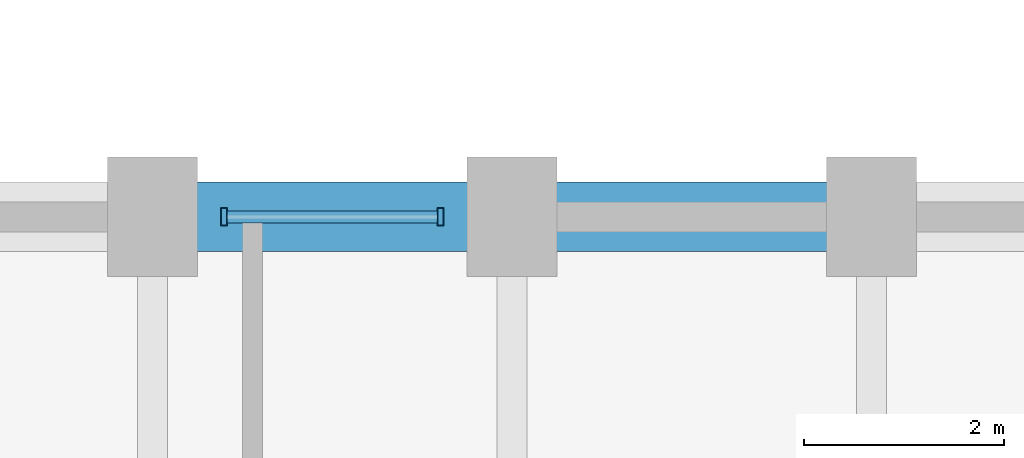
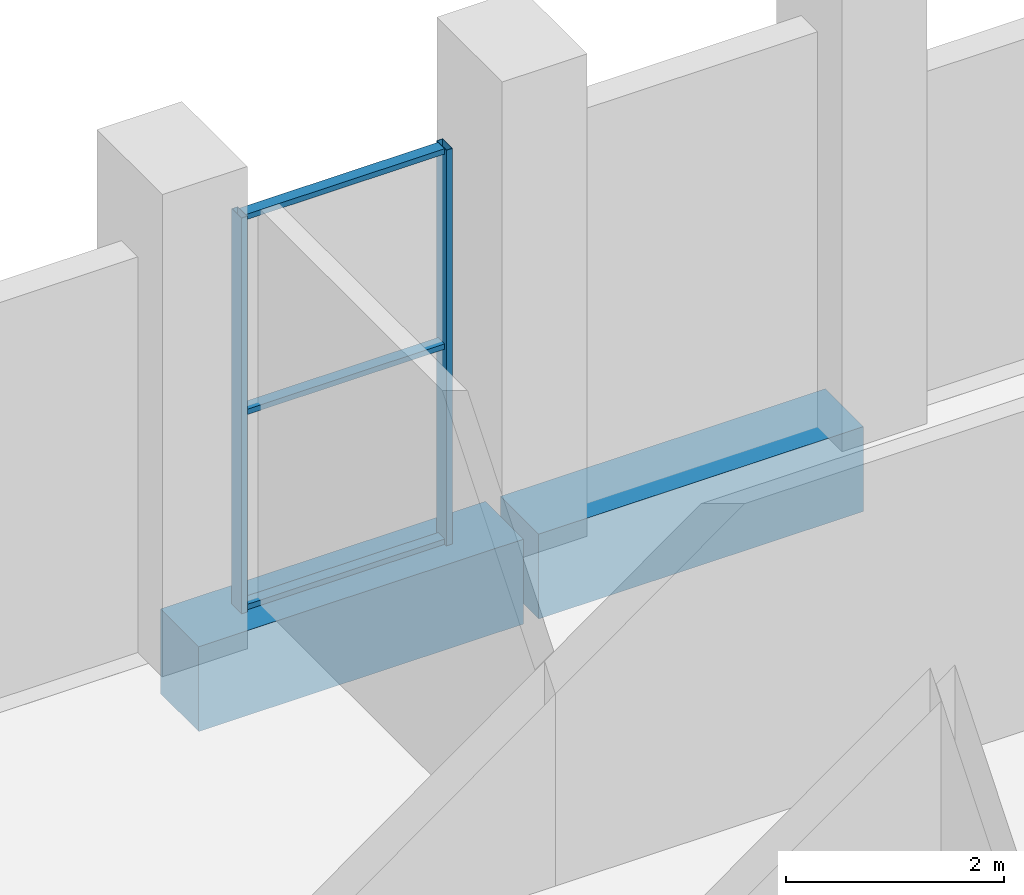
# One storey, part 15 of 27: 5 members, 2 beams, 1 element without a shape of its own.
"""IFC4 building model written with IfcOpenShell, lengths in metres."""

from ifc_helpers import new_model, si_unit, direction, frame, origin, origin_2d, place, context, subcontext, project, spatial, rectangle, hollow_rectangle, extrude, material, layer, layer_set, material_profile, profile_set, type_object, element, aggregate, save


model = new_model("IFC4")

# Units and contexts
model_context = context("Model", 3, precision=1e-05, world=origin(), true_north=direction((0.0, 1.0)))
body_context = subcontext(model_context, "Body", "Model", "MODEL_VIEW")
ifc_project = project(units=[si_unit("LENGTHUNIT", "METRE"), si_unit("AREAUNIT", "SQUARE_METRE"), si_unit("VOLUMEUNIT", "CUBIC_METRE"), si_unit("PLANEANGLEUNIT", "RADIAN"), si_unit("MASSUNIT", "GRAM", prefix="KILO")], contexts=[model_context])

# Site, building, storey
site_placement = place(None, origin())
site = spatial("IfcSite", under=ifc_project, at=site_placement, CompositionType="ELEMENT")
building_placement = place(site_placement, origin())
building = spatial("IfcBuilding", under=site, at=building_placement, Name="Solnavia Interchange Tower", CompositionType="ELEMENT")
storey_placement = place(building_placement, frame((0.0, 0.0, 74.699951171875)))
storey = spatial("IfcBuildingStorey", under=building, at=storey_placement, Name="L18", CompositionType="ELEMENT", Elevation=74.699951171875)

# Beams
ifc_material_1 = material(Name="Concrete C50/60", Category="concrete")
ifc_material_profile_1 = material_profile(ifc_material_1, rectangle(XDim=0.699951171875, YDim=0.949951171875, at=origin_2d()), Name="RC 700x950")
ifc_profile_set_1 = profile_set([ifc_material_profile_1], Name="Concrete C50/60")
beam_type = type_object("IfcBeamType", Name="Beam-Spandrel-RC700x950", PredefinedType="SPANDREL", material=ifc_profile_set_1)
beam_1_placement = place(storey_placement, frame((53.919921875, 25.199951171875, -0.474853515625), z_axis=(-1.0, 0.0, 0.0), x_axis=(0.0, -1.0, 0.0)))
element("IfcBeam", 1, at=beam_1_placement, inside=storey, type_object=beam_type, Name="SPB-L18-23 Framed-tube perimeter spandrel beam", PredefinedType="SPANDREL", context=body_context, shape_type="SweptSolid", body=[
    extrude(rectangle(XDim=0.699951171875, YDim=0.949951171875, at=origin_2d()), origin(), (0.0, 0.0, 1.0), 3.43994140625),
])
beam_2_placement = place(storey_placement, frame((50.320068359375, 25.199951171875, -0.474853515625), z_axis=(-1.0, 0.0, 0.0), x_axis=(0.0, -1.0, 0.0)))
element("IfcBeam", 2, at=beam_2_placement, inside=storey, type_object=beam_type, Name="SPB-L18-24 Framed-tube perimeter spandrel beam", PredefinedType="SPANDREL", context=body_context, shape_type="SweptSolid", body=[
    extrude(rectangle(XDim=0.699951171875, YDim=0.949951171875, at=origin_2d()), origin(), (0.0, 0.0, 1.0), 3.440185546875),
])

# Curtain wall, members
ifc_material_2 = material(Name="Aluminium Alloy 6063-T6", Category="aluminium")
ifc_layer = layer(ifc_material_2, 0.199951171875)
ifc_layer_set = layer_set([ifc_layer], Name="Aluminium Alloy 6063-T6")
curtain_wall_type = type_object("IfcCurtainWallType", Name="CurtainWall-Louvre-CTW5", PredefinedType="NOTDEFINED", material=ifc_layer_set)
curtain_wall_placement = place(storey_placement, origin())
curtain_wall = element("IfcCurtainWall", 3, at=curtain_wall_placement, inside=storey, type_object=curtain_wall_type, Name="CTW-L18-L24 CTW-5 curtain wall", PredefinedType="NOTDEFINED")
ifc_material_profile_2 = material_profile(ifc_material_2, hollow_rectangle(XDim=0.06494140625, YDim=0.179931640625, WallThickness=0.00439453125, at=origin_2d()), Name="ALU 180x65x4.5")
ifc_profile_set_2 = profile_set([ifc_material_profile_2], Name="Aluminium Alloy 6063-T6")
member_type_1 = type_object("IfcMemberType", Name="CW-Mullion-CWM-5", PredefinedType="MULLION", material=ifc_profile_set_2)
member_1_placement = place(storey_placement, frame((49.68505859375, 25.199951171875, 0.0), z_axis=(0.0, 0.0, 1.0), x_axis=(-1.0, 0.0, 0.0)))
member_1 = element("IfcMember", 4, at=member_1_placement, type_object=member_type_1, Name="CTW-5 mullion 1", PredefinedType="MULLION", context=body_context, shape_type="SweptSolid", body=[
    extrude(hollow_rectangle(XDim=0.06494140625, YDim=0.179931640625, WallThickness=0.00439453125, at=origin_2d()), origin(), (0.0, 0.0, 1.0), 4.429931640625),
])
member_2_placement = place(storey_placement, frame((47.514892578125, 25.199951171875, 0.0), z_axis=(0.0, 0.0, 1.0), x_axis=(-1.0, 0.0, 0.0)))
member_2 = element("IfcMember", 5, at=member_2_placement, type_object=member_type_1, Name="CTW-5 mullion 2", PredefinedType="MULLION", context=body_context, shape_type="SweptSolid", body=[
    extrude(hollow_rectangle(XDim=0.06494140625, YDim=0.179931640625, WallThickness=0.00439453125, at=origin_2d()), origin(), (0.0, 0.0, 1.0), 4.429931640625),
])
ifc_material_profile_3 = material_profile(ifc_material_2, hollow_rectangle(XDim=0.06005859375, YDim=0.1201171875, WallThickness=0.00390625, at=origin_2d()), Name="ALU 120x60x4")
ifc_profile_set_3 = profile_set([ifc_material_profile_3], Name="Aluminium Alloy 6063-T6")
member_type_2 = type_object("IfcMemberType", Name="CW-Transom-CWT-5", PredefinedType="USERDEFINED", material=ifc_profile_set_3)
member_3_placement = place(storey_placement, frame((49.652587890625, 25.199951171875, 0.030029296875), z_axis=(-1.0, 0.0, 0.0), x_axis=(0.0, 0.0, 1.0)))
member_3 = element("IfcMember", 6, at=member_3_placement, type_object=member_type_2, Name="CTW-5 transom 1.1", ObjectType="TRANSOM", PredefinedType="USERDEFINED", context=body_context, shape_type="SweptSolid", body=[
    extrude(hollow_rectangle(XDim=0.06005859375, YDim=0.1201171875, WallThickness=0.00390625, at=origin_2d()), origin(), (0.0, 0.0, 1.0), 2.10498046875),
])
member_4_placement = place(storey_placement, frame((49.652587890625, 25.199951171875, 2.215087890625), z_axis=(-1.0, 0.0, 0.0), x_axis=(0.0, 0.0, 1.0)))
member_4 = element("IfcMember", 7, at=member_4_placement, type_object=member_type_2, Name="CTW-5 transom 1.2", ObjectType="TRANSOM", PredefinedType="USERDEFINED", context=body_context, shape_type="SweptSolid", body=[
    extrude(hollow_rectangle(XDim=0.06005859375, YDim=0.1201171875, WallThickness=0.00390625, at=origin_2d()), origin(), (0.0, 0.0, 1.0), 2.10498046875),
])
member_5_placement = place(storey_placement, frame((49.652587890625, 25.199951171875, 4.400146484375), z_axis=(-1.0, 0.0, 0.0), x_axis=(0.0, 0.0, 1.0)))
member_5 = element("IfcMember", 8, at=member_5_placement, type_object=member_type_2, Name="CTW-5 transom 1.3", ObjectType="TRANSOM", PredefinedType="USERDEFINED", context=body_context, shape_type="SweptSolid", body=[
    extrude(hollow_rectangle(XDim=0.06005859375, YDim=0.1201171875, WallThickness=0.00390625, at=origin_2d()), origin(), (0.0, 0.0, 1.0), 2.10498046875),
])
aggregate(curtain_wall, [member_1, member_2, member_3, member_4, member_5])

save(model, "model.ifc")
